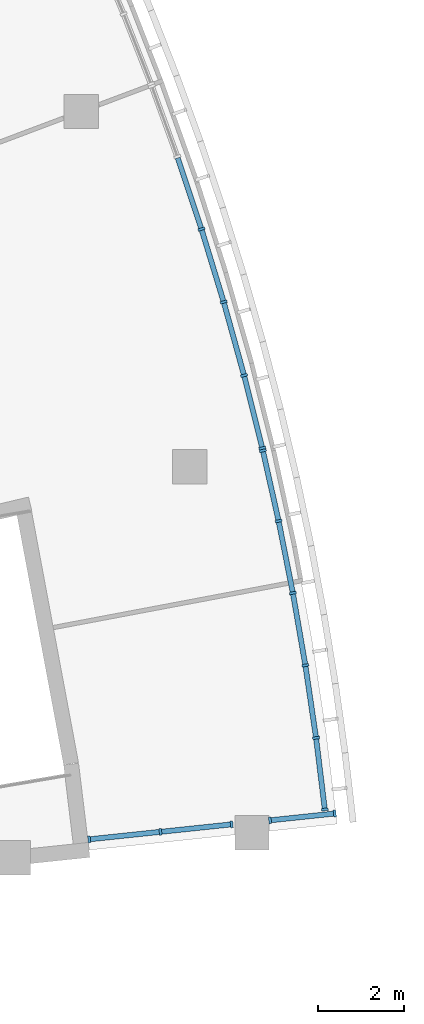
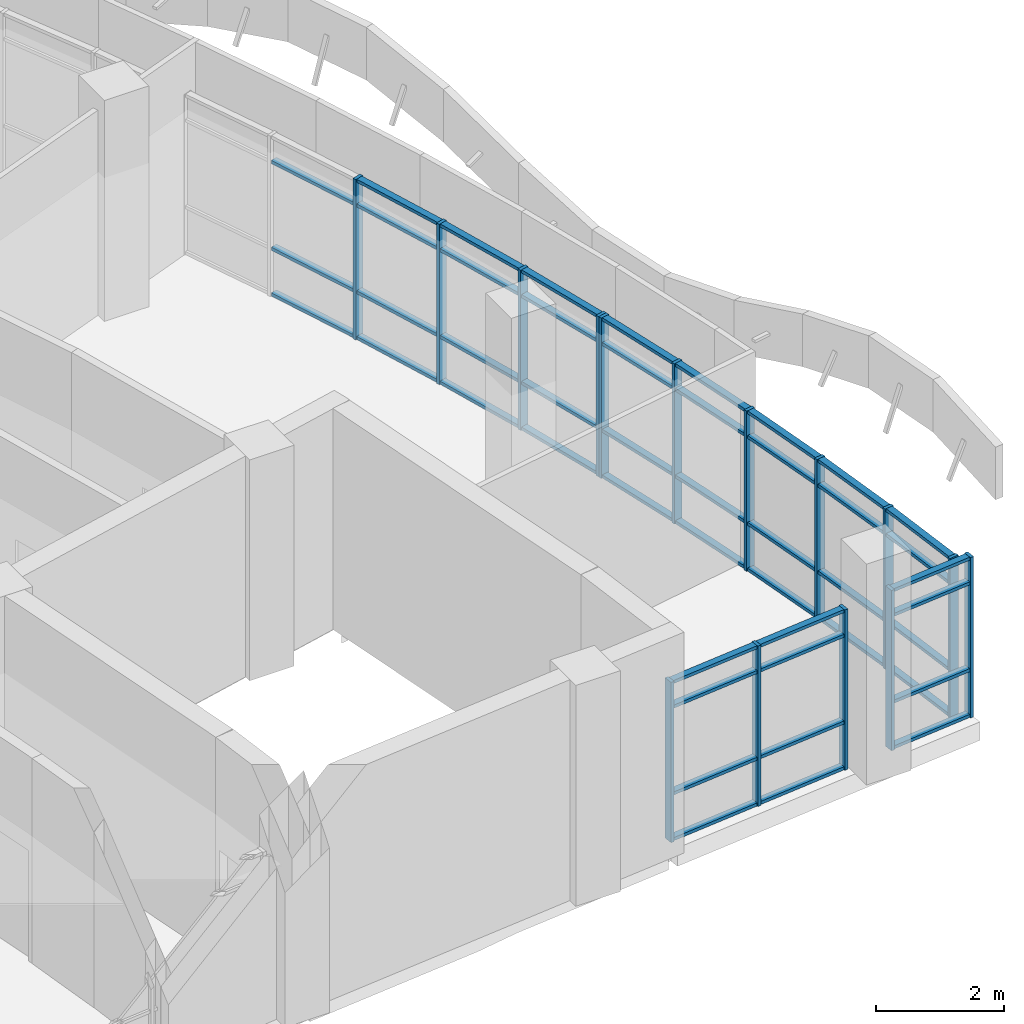
# One storey, part 34 of 137: 62 members, 4 elements without a shape of their own.
"""IFC4 building model written with IfcOpenShell, lengths in metres."""

from ifc_helpers import new_model, si_unit, direction, frame, origin, origin_2d, place, context, subcontext, project, spatial, rectangle, extrude, material, material_profile, profile_set, type_object, element, aggregate, save


model = new_model("IFC4")

# Units and contexts
model_context = context("Model", 3, precision=1e-05, world=origin(), true_north=direction((0.0, 1.0)))
body_context = subcontext(model_context, "Body", "Model", "MODEL_VIEW")
ifc_project = project(units=[si_unit("LENGTHUNIT", "METRE"), si_unit("AREAUNIT", "SQUARE_METRE"), si_unit("VOLUMEUNIT", "CUBIC_METRE"), si_unit("PLANEANGLEUNIT", "RADIAN"), si_unit("MASSUNIT", "GRAM", prefix="KILO")], contexts=[model_context])

# Site, building, storey
site_placement = place(None, origin())
site = spatial("IfcSite", under=ifc_project, at=site_placement, CompositionType="ELEMENT")
building_placement = place(site_placement, origin())
building = spatial("IfcBuilding", under=site, at=building_placement, Name="Bougainvillea Quay General Hospital", CompositionType="ELEMENT")
storey_placement = place(building_placement, frame((0.0, 0.0, 16.800048828125)))
storey = spatial("IfcBuildingStorey", under=building, at=storey_placement, Name="L03", CompositionType="ELEMENT", Elevation=16.800048828125)

# Curtain wall, members
ifc_material_1 = material(Name="Aluminium curtain wall system, powder-coated glazed", Category="aluminium")
curtain_wall_type_1 = type_object("IfcCurtainWallType", Name="Unitised curtain wall CW-1703", PredefinedType="NOTDEFINED", material=ifc_material_1)
curtain_wall_1_placement = place(storey_placement, origin())
curtain_wall_1 = element("IfcCurtainWall", 1, at=curtain_wall_1_placement, inside=storey, type_object=curtain_wall_type_1, Name="CW-AE 04", PredefinedType="NOTDEFINED")
ifc_material_2 = material(Name="Aluminium mullion, powder-coated charcoal", Category="aluminium")
ifc_material_profile_1 = material_profile(ifc_material_2, rectangle(XDim=0.159912109375, YDim=0.06005859375, at=origin_2d()))
ifc_profile_set_1 = profile_set([ifc_material_profile_1], Name="Aluminium mullion, powder-coated charcoal")
member_type_1 = type_object("IfcMemberType", Name="Curtain wall mullion 160x60", PredefinedType="MULLION", material=ifc_profile_set_1)
member_1_placement = place(storey_placement, frame((173.027099609375, 28.9599609375, 0.0), z_axis=(0.0, 0.0, 1.0), x_axis=(-0.104527173765, 0.9945220309, 0.0)))
member_1 = element("IfcMember", 2, at=member_1_placement, type_object=member_type_1, Name="CW-AE mullion 1", PredefinedType="MULLION", context=body_context, shape_type="SweptSolid", body=[
    extrude(rectangle(XDim=0.159912109375, YDim=0.06005859375, at=origin_2d()), origin(), (0.0, 0.0, 1.0), 3.050048828125),
])
member_2_placement = place(storey_placement, frame((174.6904296875, 29.134765625, 0.0), z_axis=(0.0, 0.0, 1.0), x_axis=(-0.104527173765, 0.9945220309, 0.0)))
member_2 = element("IfcMember", 3, at=member_2_placement, type_object=member_type_1, Name="CW-AE mullion 2", PredefinedType="MULLION", context=body_context, shape_type="SweptSolid", body=[
    extrude(rectangle(XDim=0.159912109375, YDim=0.06005859375, at=origin_2d()), origin(), (0.0, 0.0, 1.0), 3.050048828125),
])
member_3_placement = place(storey_placement, frame((176.353759765625, 29.3095703125, 0.0), z_axis=(0.0, 0.0, 1.0), x_axis=(-0.104527173765, 0.9945220309, 0.0)))
member_3 = element("IfcMember", 4, at=member_3_placement, type_object=member_type_1, Name="CW-AE mullion 3", PredefinedType="MULLION", context=body_context, shape_type="SweptSolid", body=[
    extrude(rectangle(XDim=0.159912109375, YDim=0.06005859375, at=origin_2d()), origin(), (0.0, 0.0, 1.0), 3.050048828125),
])

curtain_wall_type_2 = type_object("IfcCurtainWallType", Name="Unitised curtain wall CW-1581", PredefinedType="NOTDEFINED", material=ifc_material_1)
curtain_wall_2_placement = place(storey_placement, origin())
curtain_wall_2 = element("IfcCurtainWall", 5, at=curtain_wall_2_placement, inside=storey, type_object=curtain_wall_type_2, Name="CW-AE 05", PredefinedType="NOTDEFINED")
member_4_placement = place(storey_placement, frame((177.2490234375, 29.403564453125, 0.0), z_axis=(0.0, 0.0, 1.0), x_axis=(-0.104527173765, 0.9945220309, 0.0)))
member_4 = element("IfcMember", 6, at=member_4_placement, type_object=member_type_1, Name="CW-AE mullion 1", PredefinedType="MULLION", context=body_context, shape_type="SweptSolid", body=[
    extrude(rectangle(XDim=0.159912109375, YDim=0.06005859375, at=origin_2d()), origin(), (0.0, 0.0, 1.0), 3.050048828125),
])
member_5_placement = place(storey_placement, frame((178.760986328125, 29.5625, 0.0), z_axis=(0.0, 0.0, 1.0), x_axis=(-0.104527173765, 0.9945220309, 0.0)))
member_5 = element("IfcMember", 7, at=member_5_placement, type_object=member_type_1, Name="CW-AE mullion 2", PredefinedType="MULLION", context=body_context, shape_type="SweptSolid", body=[
    extrude(rectangle(XDim=0.159912109375, YDim=0.06005859375, at=origin_2d()), origin(), (0.0, 0.0, 1.0), 3.050048828125),
])

curtain_wall_type_3 = type_object("IfcCurtainWallType", Name="Unitised curtain wall CW-2100", PredefinedType="NOTDEFINED", material=ifc_material_1)
curtain_wall_3_placement = place(storey_placement, origin())
curtain_wall_3 = element("IfcCurtainWall", 8, at=curtain_wall_3_placement, inside=storey, type_object=curtain_wall_type_3, Name="CW-E07 a14b6", PredefinedType="NOTDEFINED")
member_6_placement = place(storey_placement, frame((175.6474609375, 43.210205078125, 0.0), z_axis=(0.0, 0.0, 1.0), x_axis=(0.952644499358, 0.304086267106, 0.0)))
member_6 = element("IfcMember", 9, at=member_6_placement, type_object=member_type_1, Name="CW-E07 mullion 3", PredefinedType="MULLION", context=body_context, shape_type="SweptSolid", body=[
    extrude(rectangle(XDim=0.159912109375, YDim=0.06005859375, at=origin_2d()), origin(), (0.0, 0.0, 1.0), 3.050048828125),
])
member_7_placement = place(storey_placement, frame((176.1669921875, 41.507568359375, 0.0), z_axis=(0.0, 0.0, 1.0), x_axis=(0.960094774236, 0.27967485494, 0.0)))
member_7 = element("IfcMember", 10, at=member_7_placement, type_object=member_type_1, Name="CW-E07 mullion 4", PredefinedType="MULLION", context=body_context, shape_type="SweptSolid", body=[
    extrude(rectangle(XDim=0.159912109375, YDim=0.06005859375, at=origin_2d()), origin(), (0.0, 0.0, 1.0), 3.050048828125),
])
member_8_placement = place(storey_placement, frame((176.64306640625, 39.7919921875, 0.0), z_axis=(0.0, 0.0, 1.0), x_axis=(0.966919620681, 0.255081255962, 0.0)))
member_8 = element("IfcMember", 11, at=member_8_placement, type_object=member_type_1, Name="CW-E07 mullion 5", PredefinedType="MULLION", context=body_context, shape_type="SweptSolid", body=[
    extrude(rectangle(XDim=0.159912109375, YDim=0.06005859375, at=origin_2d()), origin(), (0.0, 0.0, 1.0), 3.050048828125),
])
member_9_placement = place(storey_placement, frame((177.06787109375, 38.09423828125, 0.0), z_axis=(0.0, 0.0, 1.0), x_axis=(0.970096102912, 0.242721138583, 0.0)))
member_9 = element("IfcMember", 12, at=member_9_placement, type_object=member_type_1, Name="CW-E07 mullion 6", PredefinedType="MULLION", context=body_context, shape_type="SweptSolid", body=[
    extrude(rectangle(XDim=0.159912109375, YDim=0.06005859375, at=origin_2d()), origin(), (0.0, 0.0, 1.0), 3.050048828125),
])

curtain_wall_4_placement = place(storey_placement, origin())
curtain_wall_4 = element("IfcCurtainWall", 13, at=curtain_wall_4_placement, inside=storey, type_object=curtain_wall_type_3, Name="CW-E08 a14b7", PredefinedType="NOTDEFINED")
member_10_placement = place(storey_placement, frame((177.081787109375, 38.03564453125, 0.0), z_axis=(0.0, 0.0, 1.0), x_axis=(0.97587019217, 0.218351478204, 0.0)))
member_10 = element("IfcMember", 14, at=member_10_placement, type_object=member_type_1, Name="CW-E08 mullion 1", PredefinedType="MULLION", context=body_context, shape_type="SweptSolid", body=[
    extrude(rectangle(XDim=0.159912109375, YDim=0.06005859375, at=origin_2d()), origin(), (0.0, 0.0, 1.0), 3.050048828125),
])
member_11_placement = place(storey_placement, frame((177.44921875, 36.392822265625, 0.0), z_axis=(0.0, 0.0, 1.0), x_axis=(0.978478557556, 0.206348521691, 0.0)))
member_11 = element("IfcMember", 15, at=member_11_placement, type_object=member_type_1, Name="CW-E08 mullion 2", PredefinedType="MULLION", context=body_context, shape_type="SweptSolid", body=[
    extrude(rectangle(XDim=0.159912109375, YDim=0.06005859375, at=origin_2d()), origin(), (0.0, 0.0, 1.0), 3.050048828125),
])
member_12_placement = place(storey_placement, frame((177.7822265625, 34.712158203125, 0.0), z_axis=(0.0, 0.0, 1.0), x_axis=(0.983252034569, 0.182251026106, 0.0)))
member_12 = element("IfcMember", 16, at=member_12_placement, type_object=member_type_1, Name="CW-E08 mullion 3", PredefinedType="MULLION", context=body_context, shape_type="SweptSolid", body=[
    extrude(rectangle(XDim=0.159912109375, YDim=0.06005859375, at=origin_2d()), origin(), (0.0, 0.0, 1.0), 3.050048828125),
])
member_13_placement = place(storey_placement, frame((178.07373046875, 33.023681640625, 0.0), z_axis=(0.0, 0.0, 1.0), x_axis=(0.98743214319, 0.158043546515, 0.0)))
member_13 = element("IfcMember", 17, at=member_13_placement, type_object=member_type_1, Name="CW-E08 mullion 4", PredefinedType="MULLION", context=body_context, shape_type="SweptSolid", body=[
    extrude(rectangle(XDim=0.159912109375, YDim=0.06005859375, at=origin_2d()), origin(), (0.0, 0.0, 1.0), 3.050048828125),
])
member_14_placement = place(storey_placement, frame((178.323974609375, 31.328369140625, 0.0), z_axis=(0.0, 0.0, 1.0), x_axis=(0.991016360827, 0.133740691535, 0.0)))
member_14 = element("IfcMember", 18, at=member_14_placement, type_object=member_type_1, Name="CW-E08 mullion 5", PredefinedType="MULLION", context=body_context, shape_type="SweptSolid", body=[
    extrude(rectangle(XDim=0.159912109375, YDim=0.06005859375, at=origin_2d()), origin(), (0.0, 0.0, 1.0), 3.050048828125),
])
member_15_placement = place(storey_placement, frame((178.528564453125, 29.657470703125, 0.0), z_axis=(0.0, 0.0, 1.0), x_axis=(0.992584320508, 0.121558079457, 0.0)))
member_15 = element("IfcMember", 19, at=member_15_placement, type_object=member_type_1, Name="CW-E08 mullion 6", PredefinedType="MULLION", context=body_context, shape_type="SweptSolid", body=[
    extrude(rectangle(XDim=0.159912109375, YDim=0.06005859375, at=origin_2d()), origin(), (0.0, 0.0, 1.0), 3.050048828125),
])

# Member
ifc_material_3 = material(Name="Aluminium transom, powder-coated charcoal", Category="aluminium")
ifc_material_profile_2 = material_profile(ifc_material_3, rectangle(XDim=0.1201171875, YDim=0.06005859375, at=origin_2d()))
ifc_profile_set_2 = profile_set([ifc_material_profile_2], Name="Aluminium transom, powder-coated charcoal")
member_type_2 = type_object("IfcMemberType", Name="Curtain wall transom 120x60", PredefinedType="USERDEFINED", material=ifc_profile_set_2)
member_16_placement = place(storey_placement, frame((173.05712890625, 28.962890625, 0.030029296875), z_axis=(0.994511259192, 0.104629610247, 0.0), x_axis=(-0.104629610247, 0.994511259192, 0.0)))
member_16 = element("IfcMember", 20, at=member_16_placement, type_object=member_type_2, Name="CW-AE transom 1.1", ObjectType="TRANSOM", PredefinedType="USERDEFINED", context=body_context, shape_type="SweptSolid", body=[
    extrude(rectangle(XDim=0.1201171875, YDim=0.06005859375, at=origin_2d()), origin(), (0.0, 0.0, 1.0), 1.6123046875),
])

member_17_placement = place(storey_placement, frame((173.05712890625, 28.962890625, 0.89990234375), z_axis=(0.994511259192, 0.104629610247, 0.0), x_axis=(-0.104629610247, 0.994511259192, 0.0)))
member_17 = element("IfcMember", 21, at=member_17_placement, type_object=member_type_2, Name="CW-AE transom 1.2", ObjectType="TRANSOM", PredefinedType="USERDEFINED", context=body_context, shape_type="SweptSolid", body=[
    extrude(rectangle(XDim=0.1201171875, YDim=0.06005859375, at=origin_2d()), origin(), (0.0, 0.0, 1.0), 1.6123046875),
])

member_18_placement = place(storey_placement, frame((173.05712890625, 28.962890625, 2.550048828125), z_axis=(0.994511259192, 0.104629610247, 0.0), x_axis=(-0.104629610247, 0.994511259192, 0.0)))
member_18 = element("IfcMember", 22, at=member_18_placement, type_object=member_type_2, Name="CW-AE transom 1.3", ObjectType="TRANSOM", PredefinedType="USERDEFINED", context=body_context, shape_type="SweptSolid", body=[
    extrude(rectangle(XDim=0.1201171875, YDim=0.06005859375, at=origin_2d()), origin(), (0.0, 0.0, 1.0), 1.6123046875),
])

member_19_placement = place(storey_placement, frame((173.05712890625, 28.962890625, 3.02001953125), z_axis=(0.994511259192, 0.104629610247, 0.0), x_axis=(-0.104629610247, 0.994511259192, 0.0)))
member_19 = element("IfcMember", 23, at=member_19_placement, type_object=member_type_2, Name="CW-AE transom 1.4", ObjectType="TRANSOM", PredefinedType="USERDEFINED", context=body_context, shape_type="SweptSolid", body=[
    extrude(rectangle(XDim=0.1201171875, YDim=0.06005859375, at=origin_2d()), origin(), (0.0, 0.0, 1.0), 1.6123046875),
])

member_20_placement = place(storey_placement, frame((174.720458984375, 29.1376953125, 0.030029296875), z_axis=(0.994511259192, 0.104629610247, 0.0), x_axis=(-0.104629610247, 0.994511259192, 0.0)))
member_20 = element("IfcMember", 24, at=member_20_placement, type_object=member_type_2, Name="CW-AE transom 2.1", ObjectType="TRANSOM", PredefinedType="USERDEFINED", context=body_context, shape_type="SweptSolid", body=[
    extrude(rectangle(XDim=0.1201171875, YDim=0.06005859375, at=origin_2d()), origin(), (0.0, 0.0, 1.0), 1.6123046875),
])

member_21_placement = place(storey_placement, frame((174.720458984375, 29.1376953125, 0.89990234375), z_axis=(0.994511259192, 0.104629610247, 0.0), x_axis=(-0.104629610247, 0.994511259192, 0.0)))
member_21 = element("IfcMember", 25, at=member_21_placement, type_object=member_type_2, Name="CW-AE transom 2.2", ObjectType="TRANSOM", PredefinedType="USERDEFINED", context=body_context, shape_type="SweptSolid", body=[
    extrude(rectangle(XDim=0.1201171875, YDim=0.06005859375, at=origin_2d()), origin(), (0.0, 0.0, 1.0), 1.6123046875),
])

member_22_placement = place(storey_placement, frame((174.720458984375, 29.1376953125, 2.550048828125), z_axis=(0.994511259192, 0.104629610247, 0.0), x_axis=(-0.104629610247, 0.994511259192, 0.0)))
member_22 = element("IfcMember", 26, at=member_22_placement, type_object=member_type_2, Name="CW-AE transom 2.3", ObjectType="TRANSOM", PredefinedType="USERDEFINED", context=body_context, shape_type="SweptSolid", body=[
    extrude(rectangle(XDim=0.1201171875, YDim=0.06005859375, at=origin_2d()), origin(), (0.0, 0.0, 1.0), 1.6123046875),
])

member_23_placement = place(storey_placement, frame((174.720458984375, 29.1376953125, 3.02001953125), z_axis=(0.994511259192, 0.104629610247, 0.0), x_axis=(-0.104629610247, 0.994511259192, 0.0)))
member_23 = element("IfcMember", 27, at=member_23_placement, type_object=member_type_2, Name="CW-AE transom 2.4", ObjectType="TRANSOM", PredefinedType="USERDEFINED", context=body_context, shape_type="SweptSolid", body=[
    extrude(rectangle(XDim=0.1201171875, YDim=0.06005859375, at=origin_2d()), origin(), (0.0, 0.0, 1.0), 1.6123046875),
])

aggregate(curtain_wall_1, [member_1, member_2, member_3, member_16, member_17, member_18, member_19, member_20, member_21, member_22, member_23])

member_24_placement = place(storey_placement, frame((177.27880859375, 29.40673828125, 0.030029296875), z_axis=(0.994526501462, 0.104484629923, 0.0), x_axis=(-0.104484629923, 0.994526501462, 0.0)))
member_24 = element("IfcMember", 28, at=member_24_placement, type_object=member_type_2, Name="CW-AE transom 1.1", ObjectType="TRANSOM", PredefinedType="USERDEFINED", context=body_context, shape_type="SweptSolid", body=[
    extrude(rectangle(XDim=0.1201171875, YDim=0.06005859375, at=origin_2d()), origin(), (0.0, 0.0, 1.0), 1.46044921875),
])

member_25_placement = place(storey_placement, frame((177.27880859375, 29.40673828125, 0.89990234375), z_axis=(0.994526501462, 0.104484629923, 0.0), x_axis=(-0.104484629923, 0.994526501462, 0.0)))
member_25 = element("IfcMember", 29, at=member_25_placement, type_object=member_type_2, Name="CW-AE transom 1.2", ObjectType="TRANSOM", PredefinedType="USERDEFINED", context=body_context, shape_type="SweptSolid", body=[
    extrude(rectangle(XDim=0.1201171875, YDim=0.06005859375, at=origin_2d()), origin(), (0.0, 0.0, 1.0), 1.46044921875),
])

member_26_placement = place(storey_placement, frame((177.27880859375, 29.40673828125, 2.550048828125), z_axis=(0.994526501462, 0.104484629923, 0.0), x_axis=(-0.104484629923, 0.994526501462, 0.0)))
member_26 = element("IfcMember", 30, at=member_26_placement, type_object=member_type_2, Name="CW-AE transom 1.3", ObjectType="TRANSOM", PredefinedType="USERDEFINED", context=body_context, shape_type="SweptSolid", body=[
    extrude(rectangle(XDim=0.1201171875, YDim=0.06005859375, at=origin_2d()), origin(), (0.0, 0.0, 1.0), 1.46044921875),
])

member_27_placement = place(storey_placement, frame((177.27880859375, 29.40673828125, 3.02001953125), z_axis=(0.994526501462, 0.104484629923, 0.0), x_axis=(-0.104484629923, 0.994526501462, 0.0)))
member_27 = element("IfcMember", 31, at=member_27_placement, type_object=member_type_2, Name="CW-AE transom 1.4", ObjectType="TRANSOM", PredefinedType="USERDEFINED", context=body_context, shape_type="SweptSolid", body=[
    extrude(rectangle(XDim=0.1201171875, YDim=0.06005859375, at=origin_2d()), origin(), (0.0, 0.0, 1.0), 1.46044921875),
])

aggregate(curtain_wall_2, [member_4, member_5, member_24, member_25, member_26, member_27])

member_28_placement = place(storey_placement, frame((175.093994140625, 44.87060546875, 0.030029296875), z_axis=(0.316185191391, -0.948697488531, 0.0), x_axis=(0.948697488531, 0.316185191391, 0.0)))
member_28 = element("IfcMember", 32, at=member_28_placement, type_object=member_type_2, Name="CW-E07 transom 2.1", ObjectType="TRANSOM", PredefinedType="USERDEFINED", context=body_context, shape_type="SweptSolid", body=[
    extrude(rectangle(XDim=0.1201171875, YDim=0.06005859375, at=origin_2d()), origin(), (0.0, 0.0, 1.0), 1.720458984375),
])

member_29_placement = place(storey_placement, frame((175.093994140625, 44.87060546875, 0.89990234375), z_axis=(0.316185191391, -0.948697488531, 0.0), x_axis=(0.948697488531, 0.316185191391, 0.0)))
member_29 = element("IfcMember", 33, at=member_29_placement, type_object=member_type_2, Name="CW-E07 transom 2.2", ObjectType="TRANSOM", PredefinedType="USERDEFINED", context=body_context, shape_type="SweptSolid", body=[
    extrude(rectangle(XDim=0.1201171875, YDim=0.06005859375, at=origin_2d()), origin(), (0.0, 0.0, 1.0), 1.720458984375),
])

member_30_placement = place(storey_placement, frame((175.093994140625, 44.87060546875, 2.550048828125), z_axis=(0.316185191391, -0.948697488531, 0.0), x_axis=(0.948697488531, 0.316185191391, 0.0)))
member_30 = element("IfcMember", 34, at=member_30_placement, type_object=member_type_2, Name="CW-E07 transom 2.3", ObjectType="TRANSOM", PredefinedType="USERDEFINED", context=body_context, shape_type="SweptSolid", body=[
    extrude(rectangle(XDim=0.1201171875, YDim=0.06005859375, at=origin_2d()), origin(), (0.0, 0.0, 1.0), 1.720458984375),
])

member_31_placement = place(storey_placement, frame((175.65625, 43.181396484375, 0.030029296875), z_axis=(0.29181104464, -0.956475987271, 0.0), x_axis=(0.956475987271, 0.29181104464, 0.0)))
member_31 = element("IfcMember", 35, at=member_31_placement, type_object=member_type_2, Name="CW-E07 transom 3.1", ObjectType="TRANSOM", PredefinedType="USERDEFINED", context=body_context, shape_type="SweptSolid", body=[
    extrude(rectangle(XDim=0.1201171875, YDim=0.06005859375, at=origin_2d()), origin(), (0.0, 0.0, 1.0), 1.72021484375),
])

member_32_placement = place(storey_placement, frame((175.65625, 43.181396484375, 0.89990234375), z_axis=(0.29181104464, -0.956475987271, 0.0), x_axis=(0.956475987271, 0.29181104464, 0.0)))
member_32 = element("IfcMember", 36, at=member_32_placement, type_object=member_type_2, Name="CW-E07 transom 3.2", ObjectType="TRANSOM", PredefinedType="USERDEFINED", context=body_context, shape_type="SweptSolid", body=[
    extrude(rectangle(XDim=0.1201171875, YDim=0.06005859375, at=origin_2d()), origin(), (0.0, 0.0, 1.0), 1.72021484375),
])

member_33_placement = place(storey_placement, frame((175.65625, 43.181396484375, 2.550048828125), z_axis=(0.29181104464, -0.956475987271, 0.0), x_axis=(0.956475987271, 0.29181104464, 0.0)))
member_33 = element("IfcMember", 37, at=member_33_placement, type_object=member_type_2, Name="CW-E07 transom 3.3", ObjectType="TRANSOM", PredefinedType="USERDEFINED", context=body_context, shape_type="SweptSolid", body=[
    extrude(rectangle(XDim=0.1201171875, YDim=0.06005859375, at=origin_2d()), origin(), (0.0, 0.0, 1.0), 1.72021484375),
])

member_34_placement = place(storey_placement, frame((175.65625, 43.181396484375, 3.02001953125), z_axis=(0.29181104464, -0.956475987271, 0.0), x_axis=(0.956475987271, 0.29181104464, 0.0)))
member_34 = element("IfcMember", 38, at=member_34_placement, type_object=member_type_2, Name="CW-E07 transom 3.4", ObjectType="TRANSOM", PredefinedType="USERDEFINED", context=body_context, shape_type="SweptSolid", body=[
    extrude(rectangle(XDim=0.1201171875, YDim=0.06005859375, at=origin_2d()), origin(), (0.0, 0.0, 1.0), 1.72021484375),
])

member_35_placement = place(storey_placement, frame((176.175048828125, 41.478515625, 0.030029296875), z_axis=(0.267402284132, -0.96358498247, 0.0), x_axis=(0.96358498247, 0.267402284132, 0.0)))
member_35 = element("IfcMember", 39, at=member_35_placement, type_object=member_type_2, Name="CW-E07 transom 4.1", ObjectType="TRANSOM", PredefinedType="USERDEFINED", context=body_context, shape_type="SweptSolid", body=[
    extrude(rectangle(XDim=0.1201171875, YDim=0.06005859375, at=origin_2d()), origin(), (0.0, 0.0, 1.0), 1.72021484375),
])

member_36_placement = place(storey_placement, frame((176.175048828125, 41.478515625, 0.89990234375), z_axis=(0.267402284132, -0.96358498247, 0.0), x_axis=(0.96358498247, 0.267402284132, 0.0)))
member_36 = element("IfcMember", 40, at=member_36_placement, type_object=member_type_2, Name="CW-E07 transom 4.2", ObjectType="TRANSOM", PredefinedType="USERDEFINED", context=body_context, shape_type="SweptSolid", body=[
    extrude(rectangle(XDim=0.1201171875, YDim=0.06005859375, at=origin_2d()), origin(), (0.0, 0.0, 1.0), 1.72021484375),
])

member_37_placement = place(storey_placement, frame((176.175048828125, 41.478515625, 2.550048828125), z_axis=(0.267402284132, -0.96358498247, 0.0), x_axis=(0.96358498247, 0.267402284132, 0.0)))
member_37 = element("IfcMember", 41, at=member_37_placement, type_object=member_type_2, Name="CW-E07 transom 4.3", ObjectType="TRANSOM", PredefinedType="USERDEFINED", context=body_context, shape_type="SweptSolid", body=[
    extrude(rectangle(XDim=0.1201171875, YDim=0.06005859375, at=origin_2d()), origin(), (0.0, 0.0, 1.0), 1.72021484375),
])

member_38_placement = place(storey_placement, frame((176.175048828125, 41.478515625, 3.02001953125), z_axis=(0.267402284132, -0.96358498247, 0.0), x_axis=(0.96358498247, 0.267402284132, 0.0)))
member_38 = element("IfcMember", 42, at=member_38_placement, type_object=member_type_2, Name="CW-E07 transom 4.4", ObjectType="TRANSOM", PredefinedType="USERDEFINED", context=body_context, shape_type="SweptSolid", body=[
    extrude(rectangle(XDim=0.1201171875, YDim=0.06005859375, at=origin_2d()), origin(), (0.0, 0.0, 1.0), 1.72021484375),
])

member_39_placement = place(storey_placement, frame((176.650390625, 39.762939453125, 0.030029296875), z_axis=(0.242671573116, -0.970108503004, 0.0), x_axis=(0.970108503004, 0.242671573116, 0.0)))
member_39 = element("IfcMember", 43, at=member_39_placement, type_object=member_type_2, Name="CW-E07 transom 5.1", ObjectType="TRANSOM", PredefinedType="USERDEFINED", context=body_context, shape_type="SweptSolid", body=[
    extrude(rectangle(XDim=0.1201171875, YDim=0.06005859375, at=origin_2d()), origin(), (0.0, 0.0, 1.0), 1.690185546875),
])

member_40_placement = place(storey_placement, frame((176.650390625, 39.762939453125, 0.89990234375), z_axis=(0.242671573116, -0.970108503004, 0.0), x_axis=(0.970108503004, 0.242671573116, 0.0)))
member_40 = element("IfcMember", 44, at=member_40_placement, type_object=member_type_2, Name="CW-E07 transom 5.2", ObjectType="TRANSOM", PredefinedType="USERDEFINED", context=body_context, shape_type="SweptSolid", body=[
    extrude(rectangle(XDim=0.1201171875, YDim=0.06005859375, at=origin_2d()), origin(), (0.0, 0.0, 1.0), 1.690185546875),
])

member_41_placement = place(storey_placement, frame((176.650390625, 39.762939453125, 2.550048828125), z_axis=(0.242671573116, -0.970108503004, 0.0), x_axis=(0.970108503004, 0.242671573116, 0.0)))
member_41 = element("IfcMember", 45, at=member_41_placement, type_object=member_type_2, Name="CW-E07 transom 5.3", ObjectType="TRANSOM", PredefinedType="USERDEFINED", context=body_context, shape_type="SweptSolid", body=[
    extrude(rectangle(XDim=0.1201171875, YDim=0.06005859375, at=origin_2d()), origin(), (0.0, 0.0, 1.0), 1.690185546875),
])

member_42_placement = place(storey_placement, frame((176.650390625, 39.762939453125, 3.02001953125), z_axis=(0.242671573116, -0.970108503004, 0.0), x_axis=(0.970108503004, 0.242671573116, 0.0)))
member_42 = element("IfcMember", 46, at=member_42_placement, type_object=member_type_2, Name="CW-E07 transom 5.4", ObjectType="TRANSOM", PredefinedType="USERDEFINED", context=body_context, shape_type="SweptSolid", body=[
    extrude(rectangle(XDim=0.1201171875, YDim=0.06005859375, at=origin_2d()), origin(), (0.0, 0.0, 1.0), 1.690185546875),
])

aggregate(curtain_wall_3, [member_6, member_7, member_8, member_9, member_28, member_29, member_30, member_31, member_32, member_33, member_34, member_35, member_36, member_37, member_38, member_39, member_40, member_41, member_42])

member_43_placement = place(storey_placement, frame((177.08837890625, 38.006591796875, 0.030029296875), z_axis=(0.218331290803, -0.975874708893, 0.0), x_axis=(0.975874708893, 0.218331290803, 0.0)))
member_43 = element("IfcMember", 47, at=member_43_placement, type_object=member_type_2, Name="CW-E08 transom 1.1", ObjectType="TRANSOM", PredefinedType="USERDEFINED", context=body_context, shape_type="SweptSolid", body=[
    extrude(rectangle(XDim=0.1201171875, YDim=0.06005859375, at=origin_2d()), origin(), (0.0, 0.0, 1.0), 1.62353515625),
])

member_44_placement = place(storey_placement, frame((177.08837890625, 38.006591796875, 0.89990234375), z_axis=(0.218331290803, -0.975874708893, 0.0), x_axis=(0.975874708893, 0.218331290803, 0.0)))
member_44 = element("IfcMember", 48, at=member_44_placement, type_object=member_type_2, Name="CW-E08 transom 1.2", ObjectType="TRANSOM", PredefinedType="USERDEFINED", context=body_context, shape_type="SweptSolid", body=[
    extrude(rectangle(XDim=0.1201171875, YDim=0.06005859375, at=origin_2d()), origin(), (0.0, 0.0, 1.0), 1.62353515625),
])

member_45_placement = place(storey_placement, frame((177.08837890625, 38.006591796875, 2.550048828125), z_axis=(0.218331290803, -0.975874708893, 0.0), x_axis=(0.975874708893, 0.218331290803, 0.0)))
member_45 = element("IfcMember", 49, at=member_45_placement, type_object=member_type_2, Name="CW-E08 transom 1.3", ObjectType="TRANSOM", PredefinedType="USERDEFINED", context=body_context, shape_type="SweptSolid", body=[
    extrude(rectangle(XDim=0.1201171875, YDim=0.06005859375, at=origin_2d()), origin(), (0.0, 0.0, 1.0), 1.62353515625),
])

member_46_placement = place(storey_placement, frame((177.08837890625, 38.006591796875, 3.02001953125), z_axis=(0.218331290803, -0.975874708893, 0.0), x_axis=(0.975874708893, 0.218331290803, 0.0)))
member_46 = element("IfcMember", 50, at=member_46_placement, type_object=member_type_2, Name="CW-E08 transom 1.4", ObjectType="TRANSOM", PredefinedType="USERDEFINED", context=body_context, shape_type="SweptSolid", body=[
    extrude(rectangle(XDim=0.1201171875, YDim=0.06005859375, at=origin_2d()), origin(), (0.0, 0.0, 1.0), 1.62353515625),
])

member_47_placement = place(storey_placement, frame((177.455078125, 36.363525390625, 0.030029296875), z_axis=(0.194298649464, -0.980942421764, 0.0), x_axis=(0.980942421764, 0.194298649464, 0.0)))
member_47 = element("IfcMember", 51, at=member_47_placement, type_object=member_type_2, Name="CW-E08 transom 2.1", ObjectType="TRANSOM", PredefinedType="USERDEFINED", context=body_context, shape_type="SweptSolid", body=[
    extrude(rectangle(XDim=0.1201171875, YDim=0.06005859375, at=origin_2d()), origin(), (0.0, 0.0, 1.0), 1.653564453125),
])

member_48_placement = place(storey_placement, frame((177.455078125, 36.363525390625, 0.89990234375), z_axis=(0.194298649464, -0.980942421764, 0.0), x_axis=(0.980942421764, 0.194298649464, 0.0)))
member_48 = element("IfcMember", 52, at=member_48_placement, type_object=member_type_2, Name="CW-E08 transom 2.2", ObjectType="TRANSOM", PredefinedType="USERDEFINED", context=body_context, shape_type="SweptSolid", body=[
    extrude(rectangle(XDim=0.1201171875, YDim=0.06005859375, at=origin_2d()), origin(), (0.0, 0.0, 1.0), 1.653564453125),
])

member_49_placement = place(storey_placement, frame((177.455078125, 36.363525390625, 2.550048828125), z_axis=(0.194298649464, -0.980942421764, 0.0), x_axis=(0.980942421764, 0.194298649464, 0.0)))
member_49 = element("IfcMember", 53, at=member_49_placement, type_object=member_type_2, Name="CW-E08 transom 2.3", ObjectType="TRANSOM", PredefinedType="USERDEFINED", context=body_context, shape_type="SweptSolid", body=[
    extrude(rectangle(XDim=0.1201171875, YDim=0.06005859375, at=origin_2d()), origin(), (0.0, 0.0, 1.0), 1.653564453125),
])

member_50_placement = place(storey_placement, frame((177.455078125, 36.363525390625, 3.02001953125), z_axis=(0.194298649464, -0.980942421764, 0.0), x_axis=(0.980942421764, 0.194298649464, 0.0)))
member_50 = element("IfcMember", 54, at=member_50_placement, type_object=member_type_2, Name="CW-E08 transom 2.4", ObjectType="TRANSOM", PredefinedType="USERDEFINED", context=body_context, shape_type="SweptSolid", body=[
    extrude(rectangle(XDim=0.1201171875, YDim=0.06005859375, at=origin_2d()), origin(), (0.0, 0.0, 1.0), 1.653564453125),
])

member_51_placement = place(storey_placement, frame((177.787353515625, 34.6826171875, 0.030029296875), z_axis=(0.170238177254, -0.985402944488, 0.0), x_axis=(0.985402944488, 0.170238177254, 0.0)))
member_51 = element("IfcMember", 55, at=member_51_placement, type_object=member_type_2, Name="CW-E08 transom 3.1", ObjectType="TRANSOM", PredefinedType="USERDEFINED", context=body_context, shape_type="SweptSolid", body=[
    extrude(rectangle(XDim=0.1201171875, YDim=0.06005859375, at=origin_2d()), origin(), (0.0, 0.0, 1.0), 1.653564453125),
])

member_52_placement = place(storey_placement, frame((177.787353515625, 34.6826171875, 0.89990234375), z_axis=(0.170238177254, -0.985402944488, 0.0), x_axis=(0.985402944488, 0.170238177254, 0.0)))
member_52 = element("IfcMember", 56, at=member_52_placement, type_object=member_type_2, Name="CW-E08 transom 3.2", ObjectType="TRANSOM", PredefinedType="USERDEFINED", context=body_context, shape_type="SweptSolid", body=[
    extrude(rectangle(XDim=0.1201171875, YDim=0.06005859375, at=origin_2d()), origin(), (0.0, 0.0, 1.0), 1.653564453125),
])

member_53_placement = place(storey_placement, frame((177.787353515625, 34.6826171875, 2.550048828125), z_axis=(0.170238177254, -0.985402944488, 0.0), x_axis=(0.985402944488, 0.170238177254, 0.0)))
member_53 = element("IfcMember", 57, at=member_53_placement, type_object=member_type_2, Name="CW-E08 transom 3.3", ObjectType="TRANSOM", PredefinedType="USERDEFINED", context=body_context, shape_type="SweptSolid", body=[
    extrude(rectangle(XDim=0.1201171875, YDim=0.06005859375, at=origin_2d()), origin(), (0.0, 0.0, 1.0), 1.653564453125),
])

member_54_placement = place(storey_placement, frame((177.787353515625, 34.6826171875, 3.02001953125), z_axis=(0.170238177254, -0.985402944488, 0.0), x_axis=(0.985402944488, 0.170238177254, 0.0)))
member_54 = element("IfcMember", 58, at=member_54_placement, type_object=member_type_2, Name="CW-E08 transom 3.4", ObjectType="TRANSOM", PredefinedType="USERDEFINED", context=body_context, shape_type="SweptSolid", body=[
    extrude(rectangle(XDim=0.1201171875, YDim=0.06005859375, at=origin_2d()), origin(), (0.0, 0.0, 1.0), 1.653564453125),
])

member_55_placement = place(storey_placement, frame((178.078125, 32.993896484375, 0.030029296875), z_axis=(0.146029573517, -0.989280225042, 0.0), x_axis=(0.989280225042, 0.146029573517, 0.0)))
member_55 = element("IfcMember", 59, at=member_55_placement, type_object=member_type_2, Name="CW-E08 transom 4.1", ObjectType="TRANSOM", PredefinedType="USERDEFINED", context=body_context, shape_type="SweptSolid", body=[
    extrude(rectangle(XDim=0.1201171875, YDim=0.06005859375, at=origin_2d()), origin(), (0.0, 0.0, 1.0), 1.653564453125),
])

member_56_placement = place(storey_placement, frame((178.078125, 32.993896484375, 0.89990234375), z_axis=(0.146029573517, -0.989280225042, 0.0), x_axis=(0.989280225042, 0.146029573517, 0.0)))
member_56 = element("IfcMember", 60, at=member_56_placement, type_object=member_type_2, Name="CW-E08 transom 4.2", ObjectType="TRANSOM", PredefinedType="USERDEFINED", context=body_context, shape_type="SweptSolid", body=[
    extrude(rectangle(XDim=0.1201171875, YDim=0.06005859375, at=origin_2d()), origin(), (0.0, 0.0, 1.0), 1.653564453125),
])

member_57_placement = place(storey_placement, frame((178.078125, 32.993896484375, 2.550048828125), z_axis=(0.146029573517, -0.989280225042, 0.0), x_axis=(0.989280225042, 0.146029573517, 0.0)))
member_57 = element("IfcMember", 61, at=member_57_placement, type_object=member_type_2, Name="CW-E08 transom 4.3", ObjectType="TRANSOM", PredefinedType="USERDEFINED", context=body_context, shape_type="SweptSolid", body=[
    extrude(rectangle(XDim=0.1201171875, YDim=0.06005859375, at=origin_2d()), origin(), (0.0, 0.0, 1.0), 1.653564453125),
])

member_58_placement = place(storey_placement, frame((178.078125, 32.993896484375, 3.02001953125), z_axis=(0.146029573517, -0.989280225042, 0.0), x_axis=(0.989280225042, 0.146029573517, 0.0)))
member_58 = element("IfcMember", 62, at=member_58_placement, type_object=member_type_2, Name="CW-E08 transom 4.4", ObjectType="TRANSOM", PredefinedType="USERDEFINED", context=body_context, shape_type="SweptSolid", body=[
    extrude(rectangle(XDim=0.1201171875, YDim=0.06005859375, at=origin_2d()), origin(), (0.0, 0.0, 1.0), 1.653564453125),
])

member_59_placement = place(storey_placement, frame((178.327392578125, 31.298583984375, 0.030029296875), z_axis=(0.121665166795, -0.99257120006, 0.0), x_axis=(0.99257120006, 0.121665166795, 0.0)))
member_59 = element("IfcMember", 63, at=member_59_placement, type_object=member_type_2, Name="CW-E08 transom 5.1", ObjectType="TRANSOM", PredefinedType="USERDEFINED", context=body_context, shape_type="SweptSolid", body=[
    extrude(rectangle(XDim=0.1201171875, YDim=0.06005859375, at=origin_2d()), origin(), (0.0, 0.0, 1.0), 1.623291015625),
])

member_60_placement = place(storey_placement, frame((178.327392578125, 31.298583984375, 0.89990234375), z_axis=(0.121665166795, -0.99257120006, 0.0), x_axis=(0.99257120006, 0.121665166795, 0.0)))
member_60 = element("IfcMember", 64, at=member_60_placement, type_object=member_type_2, Name="CW-E08 transom 5.2", ObjectType="TRANSOM", PredefinedType="USERDEFINED", context=body_context, shape_type="SweptSolid", body=[
    extrude(rectangle(XDim=0.1201171875, YDim=0.06005859375, at=origin_2d()), origin(), (0.0, 0.0, 1.0), 1.623291015625),
])

member_61_placement = place(storey_placement, frame((178.327392578125, 31.298583984375, 2.550048828125), z_axis=(0.121665166795, -0.99257120006, 0.0), x_axis=(0.99257120006, 0.121665166795, 0.0)))
member_61 = element("IfcMember", 65, at=member_61_placement, type_object=member_type_2, Name="CW-E08 transom 5.3", ObjectType="TRANSOM", PredefinedType="USERDEFINED", context=body_context, shape_type="SweptSolid", body=[
    extrude(rectangle(XDim=0.1201171875, YDim=0.06005859375, at=origin_2d()), origin(), (0.0, 0.0, 1.0), 1.623291015625),
])

member_62_placement = place(storey_placement, frame((178.327392578125, 31.298583984375, 3.02001953125), z_axis=(0.121665166795, -0.99257120006, 0.0), x_axis=(0.99257120006, 0.121665166795, 0.0)))
member_62 = element("IfcMember", 66, at=member_62_placement, type_object=member_type_2, Name="CW-E08 transom 5.4", ObjectType="TRANSOM", PredefinedType="USERDEFINED", context=body_context, shape_type="SweptSolid", body=[
    extrude(rectangle(XDim=0.1201171875, YDim=0.06005859375, at=origin_2d()), origin(), (0.0, 0.0, 1.0), 1.623291015625),
])

aggregate(curtain_wall_4, [member_10, member_11, member_12, member_13, member_14, member_15, member_43, member_44, member_45, member_46, member_47, member_48, member_49, member_50, member_51, member_52, member_53, member_54, member_55, member_56, member_57, member_58, member_59, member_60, member_61, member_62])

save(model, "model.ifc")
